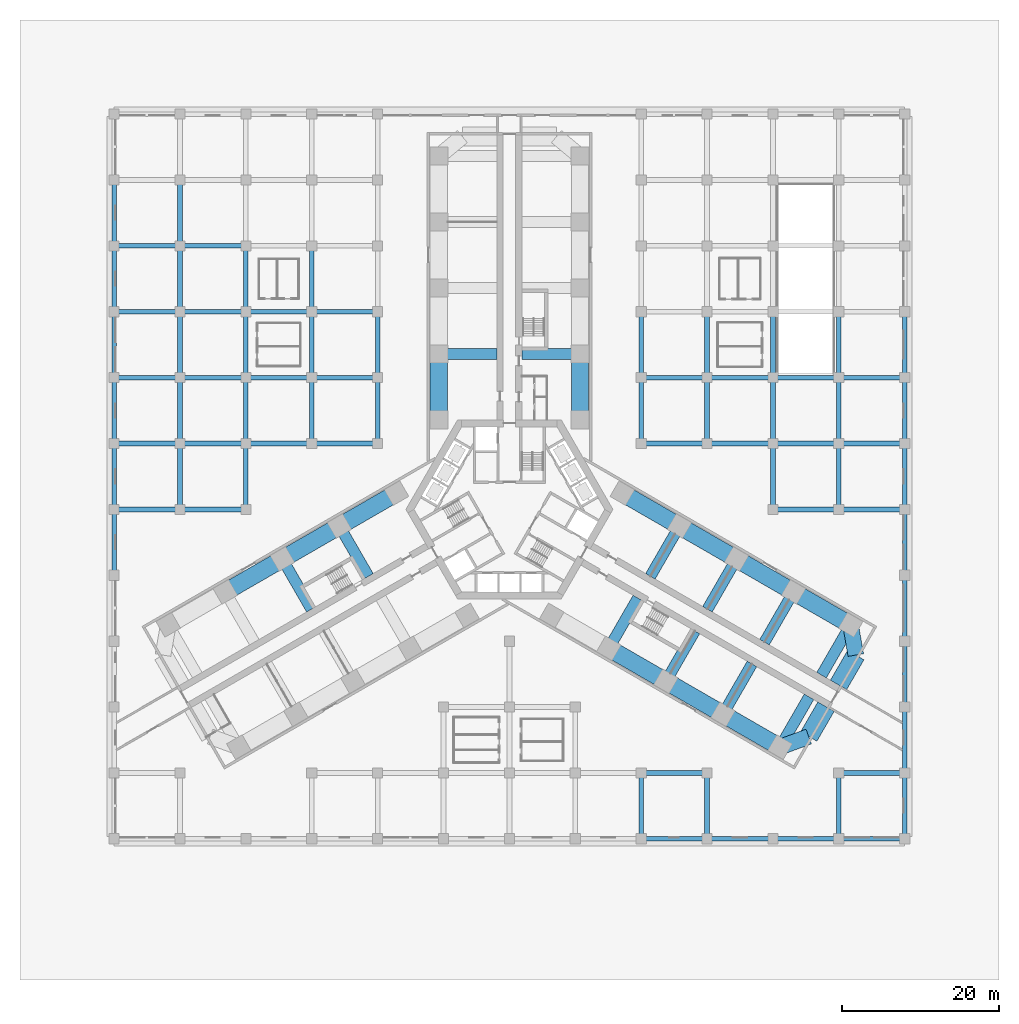
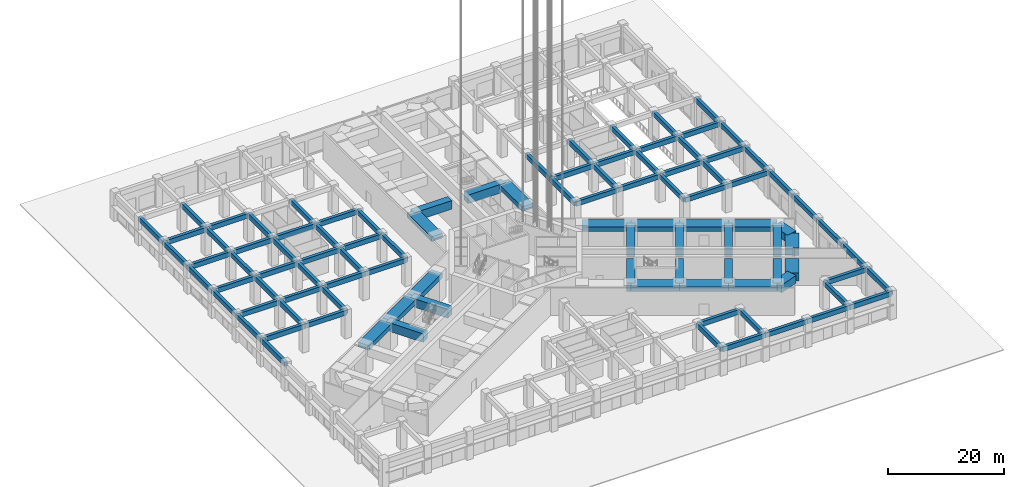
# One storey, part 2 of 33: 101 beams.
"""IFC4 building model written with IfcOpenShell, lengths in metres."""

from ifc_helpers import new_model, si_unit, direction, frame, origin, origin_2d, place, context, subcontext, project, spatial, rectangle, extrude, material, material_profile, profile_set, type_object, element, save


model = new_model("IFC4")

# Units and contexts
model_context = context("Model", 3, precision=1e-05, world=origin(), true_north=direction((0.0, 1.0)))
body_context = subcontext(model_context, "Body", "Model", "MODEL_VIEW")
ifc_project = project(units=[si_unit("LENGTHUNIT", "METRE"), si_unit("AREAUNIT", "SQUARE_METRE"), si_unit("VOLUMEUNIT", "CUBIC_METRE"), si_unit("PLANEANGLEUNIT", "RADIAN"), si_unit("MASSUNIT", "GRAM", prefix="KILO")], contexts=[model_context])

# Site, building, storey
site_placement = place(None, origin())
site = spatial("IfcSite", under=ifc_project, at=site_placement, CompositionType="ELEMENT")
building_placement = place(site_placement, origin())
building = spatial("IfcBuilding", under=site, at=building_placement, Name="Impinga Residences", CompositionType="ELEMENT")
storey_placement = place(building_placement, origin())
storey = spatial("IfcBuildingStorey", under=building, at=storey_placement, Name="L00", CompositionType="ELEMENT", Elevation=0.0)

# Beams
ifc_material = material(Name="Concrete C60/75", Category="concrete")
ifc_material_profile_1 = material_profile(ifc_material, rectangle(XDim=2.0, YDim=1.60009765625, at=origin_2d()), Name="RC 2000x1600")
ifc_profile_set_1 = profile_set([ifc_material_profile_1], Name="Concrete C60/75")
beam_type_1 = type_object("IfcBeamType", Name="CB2 2000x1600 wing end cantilever beam", PredefinedType="BEAM", material=ifc_profile_set_1)
beam_1_placement = place(storey_placement, frame((43.49853515625, -14.721435546875, 4.89990234375), z_axis=(0.170296298948, -0.985392901621, 0.0), x_axis=(0.985392901621, 0.170296298948, 0.0)))
element("IfcBeam", 1, at=beam_1_placement, inside=storey, type_object=beam_type_1, Name="Beam CB2 EB E5-EX level L01", PredefinedType="BEAM", context=body_context, shape_type="SweptSolid", body=[
    extrude(rectangle(XDim=2.0, YDim=1.60009765625, at=origin_2d()), origin(), (0.0, 0.0, 1.0), 3.9052734375),
])
beam_2_placement = place(storey_placement, frame((34.49853515625, -30.31005859375, 4.89990234375), z_axis=(0.938520178725, 0.345224382289, 0.0), x_axis=(-0.345224382289, 0.938520178725, 0.0)))
element("IfcBeam", 2, at=beam_2_placement, inside=storey, type_object=beam_type_1, Name="Beam CB2 EE E5-EX level L01", PredefinedType="BEAM", context=body_context, shape_type="SweptSolid", body=[
    extrude(rectangle(XDim=2.0, YDim=1.60009765625, at=origin_2d()), origin(), (0.0, 0.0, 1.0), 3.905029296875),
])
ifc_material_profile_2 = material_profile(ifc_material, rectangle(XDim=1.39990234375, YDim=1.800048828125, at=origin_2d()), Name="RC 1400x1800")
ifc_profile_set_2 = profile_set([ifc_material_profile_2], Name="Concrete C60/75")
beam_type_2 = type_object("IfcBeamType", Name="CG4 1400x1800 cross girder on a wing bay line under the podium floors", PredefinedType="BEAM", material=ifc_profile_set_2)
for number, where, z_axis, x_axis, name in (
    (3, (-1.60009765625, 19.83154296875, 4.800048828125), (-1.0, 0.0, 0.0), (0.0, -1.0, 0.0), "Beam CG4 N2 NC/NA level L01"),
    (4, (1.60009765625, 19.83154296875, 4.800048828125), (1.0, 0.0, 0.0), (0.0, 1.0, 0.0), "Beam CG4 N2 NC/NF level L01"),
    (5, (-17.974609375, -8.530029296875, 4.800048828125), (-0.500003285667, 0.866023506795, 0.0), (-0.866023506795, -0.500003285667, 0.0), "Beam CG4 W2 WC/WF level L01"),
):
    element("IfcBeam", number, at=place(storey_placement, frame(where, z_axis=z_axis, x_axis=x_axis)), inside=storey, type_object=beam_type_2, Name=name, PredefinedType="BEAM", context=body_context, shape_type="SweptSolid", body=[
        extrude(rectangle(XDim=1.39990234375, YDim=1.800048828125, at=origin_2d()), origin(), (0.0, 0.0, 1.0), 7.39990234375),
    ])
beam_3_placement = place(storey_placement, frame((-25.249267578125, -12.730224609375, 4.800048828125), z_axis=(-0.499988999718, 0.866031754707, 0.0), x_axis=(-0.866031754707, -0.499988999718, 0.0)))
element("IfcBeam", 6, at=beam_3_placement, inside=storey, type_object=beam_type_2, Name="Beam CG4 W3 WC/WF level L01", PredefinedType="BEAM", context=body_context, shape_type="SweptSolid", body=[
    extrude(rectangle(XDim=1.39990234375, YDim=1.800048828125, at=origin_2d()), origin(), (0.0, 0.0, 1.0), 7.400146484375),
])
beam_4_placement = place(storey_placement, frame((17.974609375, -8.530029296875, 4.800048828125), z_axis=(0.500003285667, 0.866023506795, 0.0), x_axis=(-0.866023506795, 0.500003285667, 0.0)))
element("IfcBeam", 7, at=beam_4_placement, inside=storey, type_object=beam_type_2, Name="Beam CG4 E2 EC/EA level L01", PredefinedType="BEAM", context=body_context, shape_type="SweptSolid", body=[
    extrude(rectangle(XDim=1.39990234375, YDim=1.800048828125, at=origin_2d()), origin(), (0.0, 0.0, 1.0), 7.39990234375),
])
for number, where, z_axis, x_axis, name in (
    (8, (25.249267578125, -12.730224609375, 4.800048828125), (0.499988999718, 0.866031754707, 0.0), (-0.866031754707, 0.499988999718, 0.0), "Beam CG4 E3 EC/EA level L01"),
    (9, (32.52392578125, -16.93017578125, 4.800048828125), (0.499988999718, 0.866031754707, 0.0), (-0.866031754707, 0.499988999718, 0.0), "Beam CG4 E4 EC/EA level L01"),
    (10, (39.79833984375, -21.130126953125, 4.800048828125), (0.500013743233, 0.86601746898, 0.0), (-0.86601746898, 0.500013743233, 0.0), "Beam CG4 E5 EC/EA level L01"),
):
    element("IfcBeam", number, at=place(storey_placement, frame(where, z_axis=z_axis, x_axis=x_axis)), inside=storey, type_object=beam_type_2, Name=name, PredefinedType="BEAM", context=body_context, shape_type="SweptSolid", body=[
        extrude(rectangle(XDim=1.39990234375, YDim=1.800048828125, at=origin_2d()), origin(), (0.0, 0.0, 1.0), 7.400146484375),
    ])
for number, where, z_axis, x_axis, name in (
    (11, (16.37451171875, -11.301513671875, 4.800048828125), (-0.500003285667, -0.866023506795, 0.0), (0.866023506795, -0.500003285667, 0.0), "Beam CG4 E2 EC/EF level L01"),
    (12, (23.649169921875, -15.50146484375, 4.800048828125), (-0.500003285667, -0.866023506795, 0.0), (0.866023506795, -0.500003285667, 0.0), "Beam CG4 E3 EC/EF level L01"),
):
    element("IfcBeam", number, at=place(storey_placement, frame(where, z_axis=z_axis, x_axis=x_axis)), inside=storey, type_object=beam_type_2, Name=name, PredefinedType="BEAM", context=body_context, shape_type="SweptSolid", body=[
        extrude(rectangle(XDim=1.39990234375, YDim=1.800048828125, at=origin_2d()), origin(), (0.0, 0.0, 1.0), 7.39990234375),
    ])
for number, where, z_axis, x_axis, name in (
    (13, (30.923828125, -19.701416015625, 4.800048828125), (-0.499988999718, -0.866031754707, 0.0), (0.866031754707, -0.499988999718, 0.0), "Beam CG4 E4 EC/EF level L01"),
    (14, (38.198486328125, -23.9013671875, 4.800048828125), (-0.499988999718, -0.866031754707, 0.0), (0.866031754707, -0.499988999718, 0.0), "Beam CG4 E5 EC/EF level L01"),
):
    element("IfcBeam", number, at=place(storey_placement, frame(where, z_axis=z_axis, x_axis=x_axis)), inside=storey, type_object=beam_type_2, Name=name, PredefinedType="BEAM", context=body_context, shape_type="SweptSolid", body=[
        extrude(rectangle(XDim=1.39990234375, YDim=1.800048828125, at=origin_2d()), origin(), (0.0, 0.0, 1.0), 7.400146484375),
    ])
ifc_material_profile_3 = material_profile(ifc_material, rectangle(XDim=2.39990234375, YDim=1.60009765625, at=origin_2d()), Name="RC 2400x1600")
ifc_profile_set_3 = profile_set([ifc_material_profile_3], Name="Concrete C60/75")
beam_type_3 = type_object("IfcBeamType", Name="EB2 2400x1600 wing end beam", PredefinedType="BEAM", material=ifc_profile_set_3)
for number, where, z_axis, x_axis, name in (
    (15, (44.16357421875, -18.569580078125, 4.89990234375), (-0.499988222896, -0.866032203192, 0.0), (0.866032203192, -0.499988222896, 0.0), "Beam EB2 EX4 level L01"),
    (16, (40.363525390625, -25.1513671875, 4.89990234375), (-0.499988222896, -0.866032203192, 0.0), (0.866032203192, -0.499988222896, 0.0), "Beam EB2 EX4 level L01"),
):
    element("IfcBeam", number, at=place(storey_placement, frame(where, z_axis=z_axis, x_axis=x_axis)), inside=storey, type_object=beam_type_3, Name=name, PredefinedType="BEAM", context=body_context, shape_type="SweptSolid", body=[
        extrude(rectangle(XDim=2.39990234375, YDim=1.60009765625, at=origin_2d()), origin(), (0.0, 0.0, 1.0), 4.39990234375),
    ])
ifc_material_profile_4 = material_profile(ifc_material, rectangle(XDim=0.60009765625, YDim=1.0, at=origin_2d()), Name="RC 600x1000")
ifc_profile_set_4 = profile_set([ifc_material_profile_4], Name="Concrete C60/75")
beam_type_4 = type_object("IfcBeamType", Name="PB2 600x1000 podium beam", PredefinedType="BEAM", material=ifc_profile_set_4)
beam_5_placement = place(storey_placement, frame((16.800048828125, -42.0, 5.199951171875), z_axis=(1.0, 0.0, 0.0), x_axis=(0.0, 1.0, 0.0)))
element("IfcBeam", 17, at=beam_5_placement, inside=storey, type_object=beam_type_4, Name="Beam PB2 A/9-10 level L01", PredefinedType="BEAM", context=body_context, shape_type="SweptSolid", body=[
    extrude(rectangle(XDim=0.60009765625, YDim=1.0, at=origin_2d()), origin(), (0.0, 0.0, 1.0), 8.39990234375),
])
beam_6_placement = place(storey_placement, frame((25.199951171875, -42.0, 5.199951171875), z_axis=(1.0, 0.0, 0.0), x_axis=(0.0, 1.0, 0.0)))
element("IfcBeam", 18, at=beam_6_placement, inside=storey, type_object=beam_type_4, Name="Beam PB2 A/10-11 level L01", PredefinedType="BEAM", context=body_context, shape_type="SweptSolid", body=[
    extrude(rectangle(XDim=0.60009765625, YDim=1.0, at=origin_2d()), origin(), (0.0, 0.0, 1.0), 8.400146484375),
])
for number, where, z_axis, x_axis, name in (
    (19, (33.60009765625, -42.0, 5.199951171875), (1.0, 0.0, 0.0), (0.0, 1.0, 0.0), "Beam PB2 A/11-12 level L01"),
    (20, (42.0, -42.0, 5.199951171875), (1.0, 0.0, 0.0), (0.0, 1.0, 0.0), "Beam PB2 A/12-13 level L01"),
    (21, (16.800048828125, -33.60009765625, 5.199951171875), (1.0, 0.0, 0.0), (0.0, 1.0, 0.0), "Beam PB2 B/9-10 level L01"),
    (22, (42.0, -33.60009765625, 5.199951171875), (1.0, 0.0, 0.0), (0.0, 1.0, 0.0), "Beam PB2 B/12-13 level L01"),
    (23, (-50.39990234375, 0.0, 5.199951171875), (1.0, 0.0, 0.0), (0.0, 1.0, 0.0), "Beam PB2 F/1-2 level L01"),
    (24, (-42.0, 0.0, 5.199951171875), (1.0, 0.0, 0.0), (0.0, 1.0, 0.0), "Beam PB2 F/2-3 level L01"),
    (25, (33.60009765625, 0.0, 5.199951171875), (1.0, 0.0, 0.0), (0.0, 1.0, 0.0), "Beam PB2 F/11-12 level L01"),
    (26, (42.0, 0.0, 5.199951171875), (1.0, 0.0, 0.0), (0.0, 1.0, 0.0), "Beam PB2 F/12-13 level L01"),
    (27, (-50.39990234375, 8.39990234375, 5.199951171875), (1.0, 0.0, 0.0), (0.0, 1.0, 0.0), "Beam PB2 G/1-2 level L01"),
    (28, (-42.0, 8.39990234375, 5.199951171875), (1.0, 0.0, 0.0), (0.0, 1.0, 0.0), "Beam PB2 G/2-3 level L01"),
):
    element("IfcBeam", number, at=place(storey_placement, frame(where, z_axis=z_axis, x_axis=x_axis)), inside=storey, type_object=beam_type_4, Name=name, PredefinedType="BEAM", context=body_context, shape_type="SweptSolid", body=[
        extrude(rectangle(XDim=0.60009765625, YDim=1.0, at=origin_2d()), origin(), (0.0, 0.0, 1.0), 8.39990234375),
    ])
beam_7_placement = place(storey_placement, frame((-33.60009765625, 8.39990234375, 5.199951171875), z_axis=(1.0, 0.0, 0.0), x_axis=(0.0, 1.0, 0.0)))
element("IfcBeam", 29, at=beam_7_placement, inside=storey, type_object=beam_type_4, Name="Beam PB2 G/3-4 level L01", PredefinedType="BEAM", context=body_context, shape_type="SweptSolid", body=[
    extrude(rectangle(XDim=0.60009765625, YDim=1.0, at=origin_2d()), origin(), (0.0, 0.0, 1.0), 8.400146484375),
])
for number, where, z_axis, x_axis, name in (
    (30, (-25.199951171875, 8.39990234375, 5.199951171875), (1.0, 0.0, 0.0), (0.0, 1.0, 0.0), "Beam PB2 G/4-5 level L01"),
    (31, (16.800048828125, 8.39990234375, 5.199951171875), (1.0, 0.0, 0.0), (0.0, 1.0, 0.0), "Beam PB2 G/9-10 level L01"),
):
    element("IfcBeam", number, at=place(storey_placement, frame(where, z_axis=z_axis, x_axis=x_axis)), inside=storey, type_object=beam_type_4, Name=name, PredefinedType="BEAM", context=body_context, shape_type="SweptSolid", body=[
        extrude(rectangle(XDim=0.60009765625, YDim=1.0, at=origin_2d()), origin(), (0.0, 0.0, 1.0), 8.39990234375),
    ])
beam_8_placement = place(storey_placement, frame((25.199951171875, 8.39990234375, 5.199951171875), z_axis=(1.0, 0.0, 0.0), x_axis=(0.0, 1.0, 0.0)))
element("IfcBeam", 32, at=beam_8_placement, inside=storey, type_object=beam_type_4, Name="Beam PB2 G/10-11 level L01", PredefinedType="BEAM", context=body_context, shape_type="SweptSolid", body=[
    extrude(rectangle(XDim=0.60009765625, YDim=1.0, at=origin_2d()), origin(), (0.0, 0.0, 1.0), 8.400146484375),
])
for number, where, z_axis, x_axis, name in (
    (33, (33.60009765625, 8.39990234375, 5.199951171875), (1.0, 0.0, 0.0), (0.0, 1.0, 0.0), "Beam PB2 G/11-12 level L01"),
    (34, (42.0, 8.39990234375, 5.199951171875), (1.0, 0.0, 0.0), (0.0, 1.0, 0.0), "Beam PB2 G/12-13 level L01"),
    (35, (-50.39990234375, 16.800048828125, 5.199951171875), (1.0, 0.0, 0.0), (0.0, 1.0, 0.0), "Beam PB2 H/1-2 level L01"),
    (36, (-42.0, 16.800048828125, 5.199951171875), (1.0, 0.0, 0.0), (0.0, 1.0, 0.0), "Beam PB2 H/2-3 level L01"),
):
    element("IfcBeam", number, at=place(storey_placement, frame(where, z_axis=z_axis, x_axis=x_axis)), inside=storey, type_object=beam_type_4, Name=name, PredefinedType="BEAM", context=body_context, shape_type="SweptSolid", body=[
        extrude(rectangle(XDim=0.60009765625, YDim=1.0, at=origin_2d()), origin(), (0.0, 0.0, 1.0), 8.39990234375),
    ])
beam_9_placement = place(storey_placement, frame((-33.60009765625, 16.800048828125, 5.199951171875), z_axis=(1.0, 0.0, 0.0), x_axis=(0.0, 1.0, 0.0)))
element("IfcBeam", 37, at=beam_9_placement, inside=storey, type_object=beam_type_4, Name="Beam PB2 H/3-4 level L01", PredefinedType="BEAM", context=body_context, shape_type="SweptSolid", body=[
    extrude(rectangle(XDim=0.60009765625, YDim=1.0, at=origin_2d()), origin(), (0.0, 0.0, 1.0), 8.400146484375),
])
for number, where, z_axis, x_axis, name in (
    (38, (-25.199951171875, 16.800048828125, 5.199951171875), (1.0, 0.0, 0.0), (0.0, 1.0, 0.0), "Beam PB2 H/4-5 level L01"),
    (39, (16.800048828125, 16.800048828125, 5.199951171875), (1.0, 0.0, 0.0), (0.0, 1.0, 0.0), "Beam PB2 H/9-10 level L01"),
):
    element("IfcBeam", number, at=place(storey_placement, frame(where, z_axis=z_axis, x_axis=x_axis)), inside=storey, type_object=beam_type_4, Name=name, PredefinedType="BEAM", context=body_context, shape_type="SweptSolid", body=[
        extrude(rectangle(XDim=0.60009765625, YDim=1.0, at=origin_2d()), origin(), (0.0, 0.0, 1.0), 8.39990234375),
    ])
beam_10_placement = place(storey_placement, frame((25.199951171875, 16.800048828125, 5.199951171875), z_axis=(1.0, 0.0, 0.0), x_axis=(0.0, 1.0, 0.0)))
element("IfcBeam", 40, at=beam_10_placement, inside=storey, type_object=beam_type_4, Name="Beam PB2 H/10-11 level L01", PredefinedType="BEAM", context=body_context, shape_type="SweptSolid", body=[
    extrude(rectangle(XDim=0.60009765625, YDim=1.0, at=origin_2d()), origin(), (0.0, 0.0, 1.0), 8.400146484375),
])
for number, where, z_axis, x_axis, name in (
    (41, (33.60009765625, 16.800048828125, 5.199951171875), (1.0, 0.0, 0.0), (0.0, 1.0, 0.0), "Beam PB2 H/11-12 level L01"),
    (42, (42.0, 16.800048828125, 5.199951171875), (1.0, 0.0, 0.0), (0.0, 1.0, 0.0), "Beam PB2 H/12-13 level L01"),
    (43, (-50.39990234375, 25.199951171875, 5.199951171875), (1.0, 0.0, 0.0), (0.0, 1.0, 0.0), "Beam PB2 J/1-2 level L01"),
    (44, (-42.0, 25.199951171875, 5.199951171875), (1.0, 0.0, 0.0), (0.0, 1.0, 0.0), "Beam PB2 J/2-3 level L01"),
):
    element("IfcBeam", number, at=place(storey_placement, frame(where, z_axis=z_axis, x_axis=x_axis)), inside=storey, type_object=beam_type_4, Name=name, PredefinedType="BEAM", context=body_context, shape_type="SweptSolid", body=[
        extrude(rectangle(XDim=0.60009765625, YDim=1.0, at=origin_2d()), origin(), (0.0, 0.0, 1.0), 8.39990234375),
    ])
beam_11_placement = place(storey_placement, frame((-33.60009765625, 25.199951171875, 5.199951171875), z_axis=(1.0, 0.0, 0.0), x_axis=(0.0, 1.0, 0.0)))
element("IfcBeam", 45, at=beam_11_placement, inside=storey, type_object=beam_type_4, Name="Beam PB2 J/3-4 level L01", PredefinedType="BEAM", context=body_context, shape_type="SweptSolid", body=[
    extrude(rectangle(XDim=0.60009765625, YDim=1.0, at=origin_2d()), origin(), (0.0, 0.0, 1.0), 8.400146484375),
])
for number, where, z_axis, x_axis, name in (
    (46, (-25.199951171875, 25.199951171875, 5.199951171875), (1.0, 0.0, 0.0), (0.0, 1.0, 0.0), "Beam PB2 J/4-5 level L01"),
    (47, (-50.39990234375, 33.60009765625, 5.199951171875), (1.0, 0.0, 0.0), (0.0, 1.0, 0.0), "Beam PB2 K/1-2 level L01"),
    (48, (-42.0, 33.60009765625, 5.199951171875), (1.0, 0.0, 0.0), (0.0, 1.0, 0.0), "Beam PB2 K/2-3 level L01"),
    (49, (-50.39990234375, -8.39990234375, 5.199951171875), (0.0, 1.0, 0.0), (-1.0, 0.0, 0.0), "Beam PB2 1/E-F level L01"),
    (50, (-50.39990234375, 0.0, 5.199951171875), (0.0, 1.0, 0.0), (-1.0, 0.0, 0.0), "Beam PB2 1/F-G level L01"),
):
    element("IfcBeam", number, at=place(storey_placement, frame(where, z_axis=z_axis, x_axis=x_axis)), inside=storey, type_object=beam_type_4, Name=name, PredefinedType="BEAM", context=body_context, shape_type="SweptSolid", body=[
        extrude(rectangle(XDim=0.60009765625, YDim=1.0, at=origin_2d()), origin(), (0.0, 0.0, 1.0), 8.39990234375),
    ])
beam_12_placement = place(storey_placement, frame((-50.39990234375, 8.39990234375, 5.199951171875), z_axis=(0.0, 1.0, 0.0), x_axis=(-1.0, 0.0, 0.0)))
element("IfcBeam", 51, at=beam_12_placement, inside=storey, type_object=beam_type_4, Name="Beam PB2 1/G-H level L01", PredefinedType="BEAM", context=body_context, shape_type="SweptSolid", body=[
    extrude(rectangle(XDim=0.60009765625, YDim=1.0, at=origin_2d()), origin(), (0.0, 0.0, 1.0), 8.400146484375),
])
beam_13_placement = place(storey_placement, frame((-50.39990234375, 16.800048828125, 5.199951171875), z_axis=(0.0, 1.0, 0.0), x_axis=(-1.0, 0.0, 0.0)))
element("IfcBeam", 52, at=beam_13_placement, inside=storey, type_object=beam_type_4, Name="Beam PB2 1/H-J level L01", PredefinedType="BEAM", context=body_context, shape_type="SweptSolid", body=[
    extrude(rectangle(XDim=0.60009765625, YDim=1.0, at=origin_2d()), origin(), (0.0, 0.0, 1.0), 8.39990234375),
])
beam_14_placement = place(storey_placement, frame((-50.39990234375, 25.199951171875, 5.199951171875), z_axis=(0.0, 1.0, 0.0), x_axis=(-1.0, 0.0, 0.0)))
element("IfcBeam", 53, at=beam_14_placement, inside=storey, type_object=beam_type_4, Name="Beam PB2 1/J-K level L01", PredefinedType="BEAM", context=body_context, shape_type="SweptSolid", body=[
    extrude(rectangle(XDim=0.60009765625, YDim=1.0, at=origin_2d()), origin(), (0.0, 0.0, 1.0), 8.400146484375),
])
for number, where, z_axis, x_axis, name in (
    (54, (-50.39990234375, 33.60009765625, 5.199951171875), (0.0, 1.0, 0.0), (-1.0, 0.0, 0.0), "Beam PB2 1/K-L level L01"),
    (55, (-42.0, 0.0, 5.199951171875), (0.0, 1.0, 0.0), (-1.0, 0.0, 0.0), "Beam PB2 2/F-G level L01"),
):
    element("IfcBeam", number, at=place(storey_placement, frame(where, z_axis=z_axis, x_axis=x_axis)), inside=storey, type_object=beam_type_4, Name=name, PredefinedType="BEAM", context=body_context, shape_type="SweptSolid", body=[
        extrude(rectangle(XDim=0.60009765625, YDim=1.0, at=origin_2d()), origin(), (0.0, 0.0, 1.0), 8.39990234375),
    ])
beam_15_placement = place(storey_placement, frame((-42.0, 8.39990234375, 5.199951171875), z_axis=(0.0, 1.0, 0.0), x_axis=(-1.0, 0.0, 0.0)))
element("IfcBeam", 56, at=beam_15_placement, inside=storey, type_object=beam_type_4, Name="Beam PB2 2/G-H level L01", PredefinedType="BEAM", context=body_context, shape_type="SweptSolid", body=[
    extrude(rectangle(XDim=0.60009765625, YDim=1.0, at=origin_2d()), origin(), (0.0, 0.0, 1.0), 8.400146484375),
])
beam_16_placement = place(storey_placement, frame((-42.0, 16.800048828125, 5.199951171875), z_axis=(0.0, 1.0, 0.0), x_axis=(-1.0, 0.0, 0.0)))
element("IfcBeam", 57, at=beam_16_placement, inside=storey, type_object=beam_type_4, Name="Beam PB2 2/H-J level L01", PredefinedType="BEAM", context=body_context, shape_type="SweptSolid", body=[
    extrude(rectangle(XDim=0.60009765625, YDim=1.0, at=origin_2d()), origin(), (0.0, 0.0, 1.0), 8.39990234375),
])
beam_17_placement = place(storey_placement, frame((-42.0, 25.199951171875, 5.199951171875), z_axis=(0.0, 1.0, 0.0), x_axis=(-1.0, 0.0, 0.0)))
element("IfcBeam", 58, at=beam_17_placement, inside=storey, type_object=beam_type_4, Name="Beam PB2 2/J-K level L01", PredefinedType="BEAM", context=body_context, shape_type="SweptSolid", body=[
    extrude(rectangle(XDim=0.60009765625, YDim=1.0, at=origin_2d()), origin(), (0.0, 0.0, 1.0), 8.400146484375),
])
for number, where, z_axis, x_axis, name in (
    (59, (-42.0, 33.60009765625, 5.199951171875), (0.0, 1.0, 0.0), (-1.0, 0.0, 0.0), "Beam PB2 2/K-L level L01"),
    (60, (-33.60009765625, 0.0, 5.199951171875), (0.0, 1.0, 0.0), (-1.0, 0.0, 0.0), "Beam PB2 3/F-G level L01"),
):
    element("IfcBeam", number, at=place(storey_placement, frame(where, z_axis=z_axis, x_axis=x_axis)), inside=storey, type_object=beam_type_4, Name=name, PredefinedType="BEAM", context=body_context, shape_type="SweptSolid", body=[
        extrude(rectangle(XDim=0.60009765625, YDim=1.0, at=origin_2d()), origin(), (0.0, 0.0, 1.0), 8.39990234375),
    ])
beam_18_placement = place(storey_placement, frame((-33.60009765625, 8.39990234375, 5.199951171875), z_axis=(0.0, 1.0, 0.0), x_axis=(-1.0, 0.0, 0.0)))
element("IfcBeam", 61, at=beam_18_placement, inside=storey, type_object=beam_type_4, Name="Beam PB2 3/G-H level L01", PredefinedType="BEAM", context=body_context, shape_type="SweptSolid", body=[
    extrude(rectangle(XDim=0.60009765625, YDim=1.0, at=origin_2d()), origin(), (0.0, 0.0, 1.0), 8.400146484375),
])
beam_19_placement = place(storey_placement, frame((-33.60009765625, 16.800048828125, 5.199951171875), z_axis=(0.0, 1.0, 0.0), x_axis=(-1.0, 0.0, 0.0)))
element("IfcBeam", 62, at=beam_19_placement, inside=storey, type_object=beam_type_4, Name="Beam PB2 3/H-J level L01", PredefinedType="BEAM", context=body_context, shape_type="SweptSolid", body=[
    extrude(rectangle(XDim=0.60009765625, YDim=1.0, at=origin_2d()), origin(), (0.0, 0.0, 1.0), 8.39990234375),
])
for number, where, z_axis, x_axis, name in (
    (63, (-33.60009765625, 25.199951171875, 5.199951171875), (0.0, 1.0, 0.0), (-1.0, 0.0, 0.0), "Beam PB2 3/J-K level L01"),
    (64, (-25.199951171875, 8.39990234375, 5.199951171875), (0.0, 1.0, 0.0), (-1.0, 0.0, 0.0), "Beam PB2 4/G-H level L01"),
):
    element("IfcBeam", number, at=place(storey_placement, frame(where, z_axis=z_axis, x_axis=x_axis)), inside=storey, type_object=beam_type_4, Name=name, PredefinedType="BEAM", context=body_context, shape_type="SweptSolid", body=[
        extrude(rectangle(XDim=0.60009765625, YDim=1.0, at=origin_2d()), origin(), (0.0, 0.0, 1.0), 8.400146484375),
    ])
beam_20_placement = place(storey_placement, frame((-25.199951171875, 16.800048828125, 5.199951171875), z_axis=(0.0, 1.0, 0.0), x_axis=(-1.0, 0.0, 0.0)))
element("IfcBeam", 65, at=beam_20_placement, inside=storey, type_object=beam_type_4, Name="Beam PB2 4/H-J level L01", PredefinedType="BEAM", context=body_context, shape_type="SweptSolid", body=[
    extrude(rectangle(XDim=0.60009765625, YDim=1.0, at=origin_2d()), origin(), (0.0, 0.0, 1.0), 8.39990234375),
])
for number, where, z_axis, x_axis, name in (
    (66, (-25.199951171875, 25.199951171875, 5.199951171875), (0.0, 1.0, 0.0), (-1.0, 0.0, 0.0), "Beam PB2 4/J-K level L01"),
    (67, (-16.800048828125, 8.39990234375, 5.199951171875), (0.0, 1.0, 0.0), (-1.0, 0.0, 0.0), "Beam PB2 5/G-H level L01"),
):
    element("IfcBeam", number, at=place(storey_placement, frame(where, z_axis=z_axis, x_axis=x_axis)), inside=storey, type_object=beam_type_4, Name=name, PredefinedType="BEAM", context=body_context, shape_type="SweptSolid", body=[
        extrude(rectangle(XDim=0.60009765625, YDim=1.0, at=origin_2d()), origin(), (0.0, 0.0, 1.0), 8.400146484375),
    ])
for number, where, z_axis, x_axis, name in (
    (68, (-16.800048828125, 16.800048828125, 5.199951171875), (0.0, 1.0, 0.0), (-1.0, 0.0, 0.0), "Beam PB2 5/H-J level L01"),
    (69, (16.800048828125, -42.0, 5.199951171875), (0.0, 1.0, 0.0), (-1.0, 0.0, 0.0), "Beam PB2 9/A-B level L01"),
):
    element("IfcBeam", number, at=place(storey_placement, frame(where, z_axis=z_axis, x_axis=x_axis)), inside=storey, type_object=beam_type_4, Name=name, PredefinedType="BEAM", context=body_context, shape_type="SweptSolid", body=[
        extrude(rectangle(XDim=0.60009765625, YDim=1.0, at=origin_2d()), origin(), (0.0, 0.0, 1.0), 8.39990234375),
    ])
beam_21_placement = place(storey_placement, frame((16.800048828125, 8.39990234375, 5.199951171875), z_axis=(0.0, 1.0, 0.0), x_axis=(-1.0, 0.0, 0.0)))
element("IfcBeam", 70, at=beam_21_placement, inside=storey, type_object=beam_type_4, Name="Beam PB2 9/G-H level L01", PredefinedType="BEAM", context=body_context, shape_type="SweptSolid", body=[
    extrude(rectangle(XDim=0.60009765625, YDim=1.0, at=origin_2d()), origin(), (0.0, 0.0, 1.0), 8.400146484375),
])
for number, where, z_axis, x_axis, name in (
    (71, (16.800048828125, 16.800048828125, 5.199951171875), (0.0, 1.0, 0.0), (-1.0, 0.0, 0.0), "Beam PB2 9/H-J level L01"),
    (72, (25.199951171875, -42.0, 5.199951171875), (0.0, 1.0, 0.0), (-1.0, 0.0, 0.0), "Beam PB2 10/A-B level L01"),
):
    element("IfcBeam", number, at=place(storey_placement, frame(where, z_axis=z_axis, x_axis=x_axis)), inside=storey, type_object=beam_type_4, Name=name, PredefinedType="BEAM", context=body_context, shape_type="SweptSolid", body=[
        extrude(rectangle(XDim=0.60009765625, YDim=1.0, at=origin_2d()), origin(), (0.0, 0.0, 1.0), 8.39990234375),
    ])
beam_22_placement = place(storey_placement, frame((25.199951171875, 8.39990234375, 5.199951171875), z_axis=(0.0, 1.0, 0.0), x_axis=(-1.0, 0.0, 0.0)))
element("IfcBeam", 73, at=beam_22_placement, inside=storey, type_object=beam_type_4, Name="Beam PB2 10/G-H level L01", PredefinedType="BEAM", context=body_context, shape_type="SweptSolid", body=[
    extrude(rectangle(XDim=0.60009765625, YDim=1.0, at=origin_2d()), origin(), (0.0, 0.0, 1.0), 8.400146484375),
])
for number, where, z_axis, x_axis, name in (
    (74, (25.199951171875, 16.800048828125, 5.199951171875), (0.0, 1.0, 0.0), (-1.0, 0.0, 0.0), "Beam PB2 10/H-J level L01"),
    (75, (33.60009765625, 0.0, 5.199951171875), (0.0, 1.0, 0.0), (-1.0, 0.0, 0.0), "Beam PB2 11/F-G level L01"),
):
    element("IfcBeam", number, at=place(storey_placement, frame(where, z_axis=z_axis, x_axis=x_axis)), inside=storey, type_object=beam_type_4, Name=name, PredefinedType="BEAM", context=body_context, shape_type="SweptSolid", body=[
        extrude(rectangle(XDim=0.60009765625, YDim=1.0, at=origin_2d()), origin(), (0.0, 0.0, 1.0), 8.39990234375),
    ])
beam_23_placement = place(storey_placement, frame((33.60009765625, 8.39990234375, 5.199951171875), z_axis=(0.0, 1.0, 0.0), x_axis=(-1.0, 0.0, 0.0)))
element("IfcBeam", 76, at=beam_23_placement, inside=storey, type_object=beam_type_4, Name="Beam PB2 11/G-H level L01", PredefinedType="BEAM", context=body_context, shape_type="SweptSolid", body=[
    extrude(rectangle(XDim=0.60009765625, YDim=1.0, at=origin_2d()), origin(), (0.0, 0.0, 1.0), 8.400146484375),
])
for number, where, z_axis, x_axis, name in (
    (77, (33.60009765625, 16.800048828125, 5.199951171875), (0.0, 1.0, 0.0), (-1.0, 0.0, 0.0), "Beam PB2 11/H-J level L01"),
    (78, (42.0, -42.0, 5.199951171875), (0.0, 1.0, 0.0), (-1.0, 0.0, 0.0), "Beam PB2 12/A-B level L01"),
    (79, (42.0, 0.0, 5.199951171875), (0.0, 1.0, 0.0), (-1.0, 0.0, 0.0), "Beam PB2 12/F-G level L01"),
):
    element("IfcBeam", number, at=place(storey_placement, frame(where, z_axis=z_axis, x_axis=x_axis)), inside=storey, type_object=beam_type_4, Name=name, PredefinedType="BEAM", context=body_context, shape_type="SweptSolid", body=[
        extrude(rectangle(XDim=0.60009765625, YDim=1.0, at=origin_2d()), origin(), (0.0, 0.0, 1.0), 8.39990234375),
    ])
beam_24_placement = place(storey_placement, frame((42.0, 8.39990234375, 5.199951171875), z_axis=(0.0, 1.0, 0.0), x_axis=(-1.0, 0.0, 0.0)))
element("IfcBeam", 80, at=beam_24_placement, inside=storey, type_object=beam_type_4, Name="Beam PB2 12/G-H level L01", PredefinedType="BEAM", context=body_context, shape_type="SweptSolid", body=[
    extrude(rectangle(XDim=0.60009765625, YDim=1.0, at=origin_2d()), origin(), (0.0, 0.0, 1.0), 8.400146484375),
])
for number, where, z_axis, x_axis, name in (
    (81, (42.0, 16.800048828125, 5.199951171875), (0.0, 1.0, 0.0), (-1.0, 0.0, 0.0), "Beam PB2 12/H-J level L01"),
    (82, (50.39990234375, -42.0, 5.199951171875), (0.0, 1.0, 0.0), (-1.0, 0.0, 0.0), "Beam PB2 13/A-B level L01"),
):
    element("IfcBeam", number, at=place(storey_placement, frame(where, z_axis=z_axis, x_axis=x_axis)), inside=storey, type_object=beam_type_4, Name=name, PredefinedType="BEAM", context=body_context, shape_type="SweptSolid", body=[
        extrude(rectangle(XDim=0.60009765625, YDim=1.0, at=origin_2d()), origin(), (0.0, 0.0, 1.0), 8.39990234375),
    ])
beam_25_placement = place(storey_placement, frame((50.39990234375, -33.60009765625, 5.199951171875), z_axis=(0.0, 1.0, 0.0), x_axis=(-1.0, 0.0, 0.0)))
element("IfcBeam", 83, at=beam_25_placement, inside=storey, type_object=beam_type_4, Name="Beam PB2 13/B-C level L01", PredefinedType="BEAM", context=body_context, shape_type="SweptSolid", body=[
    extrude(rectangle(XDim=0.60009765625, YDim=1.0, at=origin_2d()), origin(), (0.0, 0.0, 1.0), 8.400146484375),
])
beam_26_placement = place(storey_placement, frame((50.39990234375, -25.199951171875, 5.199951171875), z_axis=(0.0, 1.0, 0.0), x_axis=(-1.0, 0.0, 0.0)))
element("IfcBeam", 84, at=beam_26_placement, inside=storey, type_object=beam_type_4, Name="Beam PB2 13/C-D level L01", PredefinedType="BEAM", context=body_context, shape_type="SweptSolid", body=[
    extrude(rectangle(XDim=0.60009765625, YDim=1.0, at=origin_2d()), origin(), (0.0, 0.0, 1.0), 8.39990234375),
])
beam_27_placement = place(storey_placement, frame((50.39990234375, -16.800048828125, 5.199951171875), z_axis=(0.0, 1.0, 0.0), x_axis=(-1.0, 0.0, 0.0)))
element("IfcBeam", 85, at=beam_27_placement, inside=storey, type_object=beam_type_4, Name="Beam PB2 13/D-E level L01", PredefinedType="BEAM", context=body_context, shape_type="SweptSolid", body=[
    extrude(rectangle(XDim=0.60009765625, YDim=1.0, at=origin_2d()), origin(), (0.0, 0.0, 1.0), 8.400146484375),
])
for number, where, z_axis, x_axis, name in (
    (86, (50.39990234375, -8.39990234375, 5.199951171875), (0.0, 1.0, 0.0), (-1.0, 0.0, 0.0), "Beam PB2 13/E-F level L01"),
    (87, (50.39990234375, 0.0, 5.199951171875), (0.0, 1.0, 0.0), (-1.0, 0.0, 0.0), "Beam PB2 13/F-G level L01"),
):
    element("IfcBeam", number, at=place(storey_placement, frame(where, z_axis=z_axis, x_axis=x_axis)), inside=storey, type_object=beam_type_4, Name=name, PredefinedType="BEAM", context=body_context, shape_type="SweptSolid", body=[
        extrude(rectangle(XDim=0.60009765625, YDim=1.0, at=origin_2d()), origin(), (0.0, 0.0, 1.0), 8.39990234375),
    ])
beam_28_placement = place(storey_placement, frame((50.39990234375, 8.39990234375, 5.199951171875), z_axis=(0.0, 1.0, 0.0), x_axis=(-1.0, 0.0, 0.0)))
element("IfcBeam", 88, at=beam_28_placement, inside=storey, type_object=beam_type_4, Name="Beam PB2 13/G-H level L01", PredefinedType="BEAM", context=body_context, shape_type="SweptSolid", body=[
    extrude(rectangle(XDim=0.60009765625, YDim=1.0, at=origin_2d()), origin(), (0.0, 0.0, 1.0), 8.400146484375),
])
beam_29_placement = place(storey_placement, frame((50.39990234375, 16.800048828125, 5.199951171875), z_axis=(0.0, 1.0, 0.0), x_axis=(-1.0, 0.0, 0.0)))
element("IfcBeam", 89, at=beam_29_placement, inside=storey, type_object=beam_type_4, Name="Beam PB2 13/H-J level L01", PredefinedType="BEAM", context=body_context, shape_type="SweptSolid", body=[
    extrude(rectangle(XDim=0.60009765625, YDim=1.0, at=origin_2d()), origin(), (0.0, 0.0, 1.0), 8.39990234375),
])
ifc_material_profile_5 = material_profile(ifc_material, rectangle(XDim=2.199951171875, YDim=1.0, at=origin_2d()), Name="RC 2200x1000")
ifc_profile_set_5 = profile_set([ifc_material_profile_5], Name="Concrete C60/75")
beam_type_5 = type_object("IfcBeamType", Name="PB3 2200x1000 podium band beam", PredefinedType="BEAM", material=ifc_profile_set_5)
for number, where, z_axis, x_axis, name in (
    (90, (-9.0, 11.431640625, 5.199951171875), (0.0, 1.0, 0.0), (-1.0, 0.0, 0.0), "Beam PB3 NA N1-N2 level L01"),
    (91, (9.0, 11.431640625, 5.199951171875), (0.0, 1.0, 0.0), (-1.0, 0.0, 0.0), "Beam PB3 NF N1-N2 level L01"),
    (92, (-14.39990234375, 2.078369140625, 5.199951171875), (-0.86602925447, -0.499993330357, 0.0), (0.499993330357, -0.86602925447, 0.0), "Beam PB3 WF W1-W2 level L01"),
    (93, (-21.674560546875, -2.12158203125, 5.199951171875), (-0.86602925447, -0.499993330357, 0.0), (0.499993330357, -0.86602925447, 0.0), "Beam PB3 WF W2-W3 level L01"),
    (94, (-28.94921875, -6.321533203125, 5.199951171875), (-0.86602925447, -0.499993330357, 0.0), (0.499993330357, -0.86602925447, 0.0), "Beam PB3 WF W3-W4 level L01"),
    (95, (14.39990234375, 2.078369140625, 5.199951171875), (0.86602925447, -0.499993330357, 0.0), (0.499993330357, 0.86602925447, 0.0), "Beam PB3 EA E1-E2 level L01"),
    (96, (21.674560546875, -2.12158203125, 5.199951171875), (0.86602925447, -0.499993330357, 0.0), (0.499993330357, 0.86602925447, 0.0), "Beam PB3 EA E2-E3 level L01"),
    (97, (28.94921875, -6.321533203125, 5.199951171875), (0.86602925447, -0.499993330357, 0.0), (0.499993330357, 0.86602925447, 0.0), "Beam PB3 EA E3-E4 level L01"),
    (98, (36.223876953125, -10.521484375, 5.199951171875), (0.86602925447, -0.499993330357, 0.0), (0.499993330357, 0.86602925447, 0.0), "Beam PB3 EA E4-E5 level L01"),
    (99, (12.674560546875, -17.7099609375, 5.199951171875), (0.86602925447, -0.499993330357, 0.0), (0.499993330357, 0.86602925447, 0.0), "Beam PB3 EF E2-E3 level L01"),
):
    element("IfcBeam", number, at=place(storey_placement, frame(where, z_axis=z_axis, x_axis=x_axis)), inside=storey, type_object=beam_type_5, Name=name, PredefinedType="BEAM", context=body_context, shape_type="SweptSolid", body=[
        extrude(rectangle(XDim=2.199951171875, YDim=1.0, at=origin_2d()), origin(), (0.0, 0.0, 1.0), 8.39990234375),
    ])
beam_30_placement = place(storey_placement, frame((19.94921875, -21.909912109375, 5.199951171875), z_axis=(0.866016669275, -0.500015128309, 0.0), x_axis=(0.500015128309, 0.866016669275, 0.0)))
element("IfcBeam", 100, at=beam_30_placement, inside=storey, type_object=beam_type_5, Name="Beam PB3 EF E3-E4 level L01", PredefinedType="BEAM", context=body_context, shape_type="SweptSolid", body=[
    extrude(rectangle(XDim=2.199951171875, YDim=1.0, at=origin_2d()), origin(), (0.0, 0.0, 1.0), 8.400146484375),
])
beam_31_placement = place(storey_placement, frame((27.223876953125, -26.110107421875, 5.199951171875), z_axis=(0.86602925447, -0.499993330357, 0.0), x_axis=(0.499993330357, 0.86602925447, 0.0)))
element("IfcBeam", 101, at=beam_31_placement, inside=storey, type_object=beam_type_5, Name="Beam PB3 EF E4-E5 level L01", PredefinedType="BEAM", context=body_context, shape_type="SweptSolid", body=[
    extrude(rectangle(XDim=2.199951171875, YDim=1.0, at=origin_2d()), origin(), (0.0, 0.0, 1.0), 8.39990234375),
])

save(model, "model.ifc")
